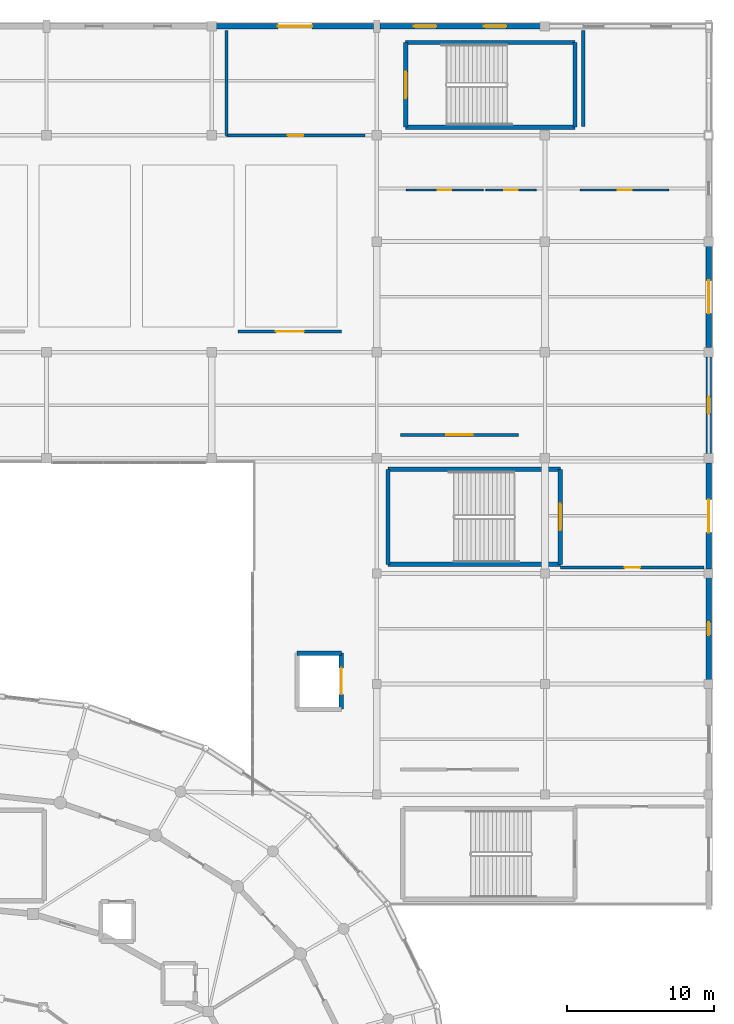
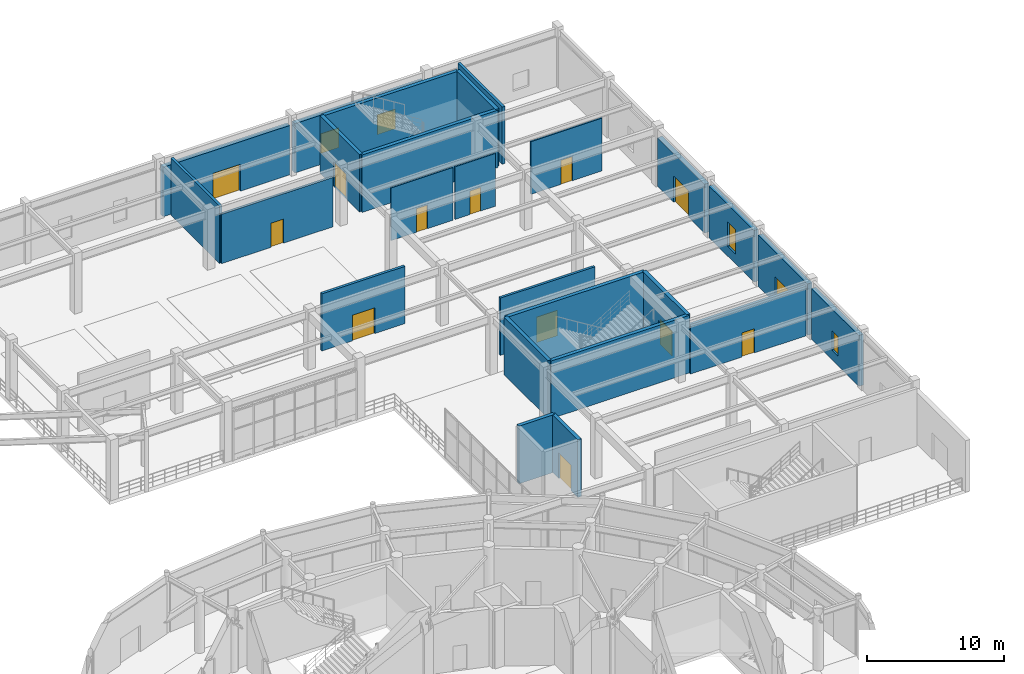
# One storey, part 62 of 93: 25 walls, 13 doors, 4 windows, 17 openings.
"""IFC4 building model written with IfcOpenShell, lengths in metres."""

from ifc_helpers import new_model, si_unit, direction, frame, frame_2d, origin, place, context, subcontext, project, spatial, rectangle, extrude, material, layer, layer_set, type_object, element, fill, save


model = new_model("IFC4")

# Units and contexts
model_context = context("Model", 3, precision=1e-05, world=origin(), true_north=direction((0.0, 1.0)))
body_context = subcontext(model_context, "Body", "Model", "MODEL_VIEW")
ifc_project = project(units=[si_unit("LENGTHUNIT", "METRE"), si_unit("AREAUNIT", "SQUARE_METRE"), si_unit("VOLUMEUNIT", "CUBIC_METRE"), si_unit("PLANEANGLEUNIT", "RADIAN"), si_unit("MASSUNIT", "GRAM", prefix="KILO")], contexts=[model_context])

# Site, building, storey
site_placement = place(None, origin())
site = spatial("IfcSite", under=ifc_project, at=site_placement, CompositionType="ELEMENT")
building_placement = place(site_placement, origin())
building = spatial("IfcBuilding", under=site, at=building_placement, Name="Cinderbank Siding Concert Hall", CompositionType="ELEMENT")
storey_placement = place(building_placement, origin())
storey = spatial("IfcBuildingStorey", under=building, at=storey_placement, Name="L01", CompositionType="ELEMENT", Elevation=0.0)

# Wall, opening, door
ifc_material_1 = material(Name="Reinforced concrete AS 3600 N50 (50 MPa)", Category="concrete")
ifc_layer_1 = layer(ifc_material_1, 0.300048828125)
ifc_layer_set_1 = layer_set([ifc_layer_1], Name="Reinforced concrete AS 3600 N50 (50 MPa)")
wall_type_1 = type_object("IfcWallType", Name="WL-03 Structural Wall 300mm", PredefinedType="SHEAR", material=ifc_layer_set_1)
wall_1_placement = place(storey_placement, frame((152.360107421875, 111.06005859375, 0.0), z_axis=(0.0, 0.0, 1.0), x_axis=(0.0, 1.0, 0.0)))
wall_1 = element("IfcWall", 1, at=wall_1_placement, inside=storey, type_object=wall_type_1, Name="L01 ST-07 Core Wall ENTRY", PredefinedType="SHEAR", context=body_context, shape_type="SweptSolid", body=[
    extrude(rectangle(XDim=5.739990234375, YDim=0.300048828125, at=frame_2d((2.8701171875, 0.0))), origin(), (0.0, 0.0, 1.0), 5.1201171875),
])
opening_1_placement = place(wall_1_placement, frame((1.969970703125, 0.0, 0.0)))
opening_1 = element("IfcOpeningElement", 2, at=opening_1_placement, cuts=wall_1, Name="Opening D-05", PredefinedType="OPENING", context=body_context, shape_type="SweptSolid", body=[
    extrude(rectangle(XDim=1.800048828125, YDim=2.199951171875, at=frame_2d((0.89990234375, 1.10009765625))), frame((0.0, 0.162109375, 0.0), z_axis=(0.0, -1.0, 0.0), x_axis=(1.0, 0.0, 0.0)), (0.0, 0.0, 1.0), 0.323974609375),
])
ifc_material_2 = material(Name="Galvanised sheet steel acoustic fire door assembly", Category="steel")
door_type_1 = type_object("IfcDoorType", Name="D-05 Interior Door 1800x2200", OperationType="DOUBLE_DOOR_SINGLE_SWING", PredefinedType="DOOR", material=ifc_material_2)
door_1_placement = place(opening_1_placement, origin())
door_1 = element("IfcDoor", 3, at=door_1_placement, inside=storey, type_object=door_type_1, Name="L01 ST-07 Fire Stair Door L01-D040", OperationType="DOUBLE_DOOR_SINGLE_SWING", OverallHeight=2.199951171875, OverallWidth=1.800048828125, PredefinedType="DOOR", context=body_context, shape_type="SweptSolid", body=[
    extrude(rectangle(XDim=1.800048828125, YDim=2.199951171875, at=frame_2d((0.89990234375, 1.10009765625))), frame((0.0, 0.02490234375, 0.0), z_axis=(0.0, -1.0, 0.0), x_axis=(1.0, 0.0, 0.0)), (0.0, 0.0, 1.0), 0.050048828125),
])
fill(opening_1, door_1)

# Walls
wall_2_placement = place(storey_placement, frame((163.840087890625, 116.800048828125, 0.0), z_axis=(0.0, 0.0, 1.0), x_axis=(0.0, -1.0, 0.0)))
element("IfcWall", 4, at=wall_2_placement, inside=storey, type_object=wall_type_1, Name="L01 ST-07 Core Wall FAR", PredefinedType="SHEAR", context=body_context, shape_type="SweptSolid", body=[
    extrude(rectangle(XDim=5.739990234375, YDim=0.300048828125, at=frame_2d((2.8701171875, 0.0))), origin(), (0.0, 0.0, 1.0), 5.1201171875),
])
for number, where, z_axis, x_axis, name in (
    (5, (163.840087890625, 111.06005859375, 0.0), (0.0, 0.0, 1.0), (-1.0, 0.0, 0.0), "L01 ST-07 Core Wall SIDE1"),
    (6, (152.360107421875, 116.800048828125, 0.0), (0.0, 0.0, 1.0), (1.0, 0.0, 0.0), "L01 ST-07 Core Wall SIDE2"),
):
    element("IfcWall", number, at=place(storey_placement, frame(where, z_axis=z_axis, x_axis=x_axis)), inside=storey, type_object=wall_type_1, Name=name, PredefinedType="SHEAR", context=body_context, shape_type="SweptSolid", body=[
        extrude(rectangle(XDim=11.47998046875, YDim=0.300048828125, at=frame_2d((5.739990234375, 0.0))), origin(), (0.0, 0.0, 1.0), 5.1201171875),
    ])

# Wall, opening, door
wall_3_placement = place(storey_placement, frame((162.840087890625, 87.85009765625, 0.0), z_axis=(0.0, 0.0, 1.0), x_axis=(0.0, -1.0, 0.0)))
wall_3 = element("IfcWall", 7, at=wall_3_placement, inside=storey, type_object=wall_type_1, Name="L01 ST-11 Core Wall ENTRY", PredefinedType="SHEAR", context=body_context, shape_type="SweptSolid", body=[
    extrude(rectangle(XDim=6.440185546875, YDim=0.300048828125, at=frame_2d((3.22021484375, 0.0))), origin(), (0.0, 0.0, 1.0), 5.139892578125),
])
opening_2_placement = place(wall_3_placement, frame((2.320068359375, 0.0, 0.0)))
opening_2 = element("IfcOpeningElement", 8, at=opening_2_placement, cuts=wall_3, Name="Opening D-05", PredefinedType="OPENING", context=body_context, shape_type="SweptSolid", body=[
    extrude(rectangle(XDim=1.800048828125, YDim=2.199951171875, at=frame_2d((0.89990234375, 1.10009765625))), frame((0.0, 0.162109375, 0.0), z_axis=(0.0, -1.0, 0.0), x_axis=(1.0, 0.0, 0.0)), (0.0, 0.0, 1.0), 0.323974609375),
])
door_2_placement = place(opening_2_placement, origin())
door_2 = element("IfcDoor", 9, at=door_2_placement, inside=storey, type_object=door_type_1, Name="L01 ST-11 Fire Stair Door L01-D055", OperationType="DOUBLE_DOOR_SINGLE_SWING", OverallHeight=2.199951171875, OverallWidth=1.800048828125, PredefinedType="DOOR", context=body_context, shape_type="SweptSolid", body=[
    extrude(rectangle(XDim=1.800048828125, YDim=2.199951171875, at=frame_2d((0.89990234375, 1.10009765625))), frame((0.0, 0.02490234375, 0.0), z_axis=(0.0, -1.0, 0.0), x_axis=(1.0, 0.0, 0.0)), (0.0, 0.0, 1.0), 0.050048828125),
])
fill(opening_2, door_2)

# Walls
wall_4_placement = place(storey_placement, frame((151.159912109375, 81.409912109375, 0.0), z_axis=(0.0, 0.0, 1.0), x_axis=(0.0, 1.0, 0.0)))
element("IfcWall", 10, at=wall_4_placement, inside=storey, type_object=wall_type_1, Name="L01 ST-11 Core Wall FAR", PredefinedType="SHEAR", context=body_context, shape_type="SweptSolid", body=[
    extrude(rectangle(XDim=6.440185546875, YDim=0.300048828125, at=frame_2d((3.22021484375, 0.0))), origin(), (0.0, 0.0, 1.0), 5.139892578125),
])
for number, where, z_axis, x_axis, name in (
    (11, (151.159912109375, 87.85009765625, 0.0), (0.0, 0.0, 1.0), (1.0, 0.0, 0.0), "L01 ST-11 Core Wall SIDE1"),
    (12, (162.840087890625, 81.409912109375, 0.0), (0.0, 0.0, 1.0), (-1.0, 0.0, 0.0), "L01 ST-11 Core Wall SIDE2"),
):
    element("IfcWall", number, at=place(storey_placement, frame(where, z_axis=z_axis, x_axis=x_axis)), inside=storey, type_object=wall_type_1, Name=name, PredefinedType="SHEAR", context=body_context, shape_type="SweptSolid", body=[
        extrude(rectangle(XDim=11.68017578125, YDim=0.300048828125, at=frame_2d((5.840087890625, 0.0))), origin(), (0.0, 0.0, 1.0), 5.139892578125),
    ])

# Wall, opening, door
wall_5_placement = place(storey_placement, frame((148.0, 75.39990234375, 0.0), z_axis=(0.0, 0.0, 1.0), x_axis=(0.0, -1.0, 0.0)))
wall_5 = element("IfcWall", 13, at=wall_5_placement, inside=storey, type_object=wall_type_1, Name="L01 LF-08 Shaft Wall +X", PredefinedType="SHEAR", context=body_context, shape_type="SweptSolid", body=[
    extrude(rectangle(XDim=3.7998046875, YDim=0.300048828125, at=frame_2d((1.89990234375, 0.0))), origin(), (0.0, 0.0, 1.0), 5.139892578125),
])
opening_3_placement = place(wall_5_placement, frame((1.0, 0.0, 0.0)))
opening_3 = element("IfcOpeningElement", 14, at=opening_3_placement, cuts=wall_5, Name="Opening LD-03", PredefinedType="OPENING", context=body_context, shape_type="SweptSolid", body=[
    extrude(rectangle(XDim=1.800048828125, YDim=2.300048828125, at=frame_2d((0.89990234375, 1.14990234375))), frame((0.0, 0.162109375, 0.0), z_axis=(0.0, -1.0, 0.0), x_axis=(1.0, 0.0, 0.0)), (0.0, 0.0, 1.0), 0.323974609375),
])
door_type_2 = type_object("IfcDoorType", Name="LD-03 Interior Door 1800x2300", OperationType="DOUBLE_DOOR_SLIDING", PredefinedType="DOOR", material=ifc_material_2)
door_3_placement = place(opening_3_placement, origin())
door_3 = element("IfcDoor", 15, at=door_3_placement, inside=storey, type_object=door_type_2, Name="L01 LF-08 Sliding Landing Door", OperationType="DOUBLE_DOOR_SLIDING", OverallHeight=2.300048828125, OverallWidth=1.800048828125, PredefinedType="DOOR", context=body_context, shape_type="SweptSolid", body=[
    extrude(rectangle(XDim=1.800048828125, YDim=2.300048828125, at=frame_2d((0.89990234375, 1.14990234375))), frame((0.0, 0.02490234375, 0.0), z_axis=(0.0, -1.0, 0.0), x_axis=(1.0, 0.0, 0.0)), (0.0, 0.0, 1.0), 0.050048828125),
])
fill(opening_3, door_3)

# Wall
wall_6_placement = place(storey_placement, frame((145.0, 75.39990234375, 0.0), z_axis=(0.0, 0.0, 1.0), x_axis=(1.0, 0.0, 0.0)))
element("IfcWall", 16, at=wall_6_placement, inside=storey, type_object=wall_type_1, Name="L01 LF-08 Shaft Wall +Y", PredefinedType="SHEAR", context=body_context, shape_type="SweptSolid", body=[
    extrude(rectangle(XDim=3.0, YDim=0.300048828125, at=frame_2d((1.5, 0.0))), origin(), (0.0, 0.0, 1.0), 5.139892578125),
])

# Wall, opening, door
ifc_layer_2 = layer(ifc_material_1, 0.219970703125)
ifc_layer_set_2 = layer_set([ifc_layer_2], Name="Reinforced concrete AS 3600 N50 (50 MPa)")
wall_type_2 = type_object("IfcWallType", Name="WL-06 Interior Wall 220mm", PredefinedType="SOLIDWALL", material=ifc_layer_set_2)
wall_7_placement = place(storey_placement, frame((140.199951171875, 110.5, 0.0), z_axis=(0.0, 0.0, 1.0), x_axis=(1.0, 0.0, 0.0)))
wall_7 = element("IfcWall", 17, at=wall_7_placement, inside=storey, type_object=wall_type_2, Name="L01 Fire-Isolated Exit Passage Wall EPW-07-S", PredefinedType="SOLIDWALL", context=body_context, shape_type="SweptSolid", body=[
    extrude(rectangle(XDim=9.400146484375, YDim=0.219970703125, at=frame_2d((4.7001953125, 0.0))), origin(), (0.0, 0.0, 1.0), 4.406982421875),
])
opening_4_placement = place(wall_7_placement, frame((4.175048828125, 0.0, 0.0)))
opening_4 = element("IfcOpeningElement", 18, at=opening_4_placement, cuts=wall_7, Name="Opening D-02", PredefinedType="OPENING", context=body_context, shape_type="SweptSolid", body=[
    extrude(rectangle(XDim=1.050048828125, YDim=2.14990234375, at=frame_2d((0.52490234375, 1.074951171875))), frame((0.0, 0.1220703125, 0.0), z_axis=(0.0, -1.0, 0.0), x_axis=(1.0, 0.0, 0.0)), (0.0, 0.0, 1.0), 0.243896484375),
])
door_type_3 = type_object("IfcDoorType", Name="D-02 Interior Door 1050x2150", OperationType="NOTDEFINED", PredefinedType="DOOR", material=ifc_material_2)
door_4_placement = place(opening_4_placement, origin())
door_4 = element("IfcDoor", 19, at=door_4_placement, inside=storey, type_object=door_type_3, Name="L01 Exit Passage Fire Door L01-D094", OperationType="SINGLE_SWING_LEFT", OverallHeight=2.14990234375, OverallWidth=1.050048828125, PredefinedType="DOOR", context=body_context, shape_type="SweptSolid", body=[
    extrude(rectangle(XDim=1.050048828125, YDim=2.14990234375, at=frame_2d((0.52490234375, 1.074951171875))), frame((0.0, 0.02490234375, 0.0), z_axis=(0.0, -1.0, 0.0), x_axis=(1.0, 0.0, 0.0)), (0.0, 0.0, 1.0), 0.050048828125),
])
fill(opening_4, door_4)

# Walls
wall_8_placement = place(storey_placement, frame((140.199951171875, 117.60009765625, 0.0), z_axis=(0.0, 0.0, 1.0), x_axis=(0.0, -1.0, 0.0)))
element("IfcWall", 20, at=wall_8_placement, inside=storey, type_object=wall_type_2, Name="L01 Fire-Isolated Exit Passage Wall EPW-07-W", PredefinedType="SOLIDWALL", context=body_context, shape_type="SweptSolid", body=[
    extrude(rectangle(XDim=7.10009765625, YDim=0.219970703125, at=frame_2d((3.550048828125, 0.0))), origin(), (0.0, 0.0, 1.0), 5.10498046875),
])
wall_9_placement = place(storey_placement, frame((164.39990234375, 111.10009765625, 0.0), z_axis=(0.0, 0.0, 1.0), x_axis=(0.0, 1.0, 0.0)))
element("IfcWall", 21, at=wall_9_placement, inside=storey, type_object=wall_type_2, Name="L01 Fire-Isolated Exit Passage Wall EPW-07-E", PredefinedType="SOLIDWALL", context=body_context, shape_type="SweptSolid", body=[
    extrude(rectangle(XDim=6.5, YDim=0.219970703125, at=frame_2d((3.25, 0.0))), origin(), (0.0, 0.0, 1.0), 5.10498046875),
])

# Wall, opening, door
wall_10_placement = place(storey_placement, frame((162.85009765625, 81.199951171875, 0.0), z_axis=(0.0, 0.0, 1.0), x_axis=(1.0, 0.0, 0.0)))
wall_10 = element("IfcWall", 22, at=wall_10_placement, inside=storey, type_object=wall_type_2, Name="L01 Fire-Isolated Exit Passage Wall EPW-11-S", PredefinedType="SOLIDWALL", context=body_context, shape_type="SweptSolid", body=[
    extrude(rectangle(XDim=9.75, YDim=0.219970703125, at=frame_2d((4.875, 0.0))), origin(), (0.0, 0.0, 1.0), 4.427001953125),
])
opening_5_placement = place(wall_10_placement, frame((4.35009765625, 0.0, 0.0)))
opening_5 = element("IfcOpeningElement", 23, at=opening_5_placement, cuts=wall_10, Name="Opening D-02", PredefinedType="OPENING", context=body_context, shape_type="SweptSolid", body=[
    extrude(rectangle(XDim=1.050048828125, YDim=2.14990234375, at=frame_2d((0.52490234375, 1.074951171875))), frame((0.0, 0.1220703125, 0.0), z_axis=(0.0, -1.0, 0.0), x_axis=(1.0, 0.0, 0.0)), (0.0, 0.0, 1.0), 0.243896484375),
])
door_5_placement = place(opening_5_placement, origin())
door_5 = element("IfcDoor", 24, at=door_5_placement, inside=storey, type_object=door_type_3, Name="L01 Exit Passage Fire Door L01-D099", OperationType="SINGLE_SWING_RIGHT", OverallHeight=2.14990234375, OverallWidth=1.050048828125, PredefinedType="DOOR", context=body_context, shape_type="SweptSolid", body=[
    extrude(rectangle(XDim=1.050048828125, YDim=2.14990234375, at=frame_2d((0.52490234375, 1.074951171875))), frame((0.0, 0.02490234375, 0.0), z_axis=(0.0, -1.0, 0.0), x_axis=(1.0, 0.0, 0.0)), (0.0, 0.0, 1.0), 0.050048828125),
])
fill(opening_5, door_5)

wall_11_placement = place(storey_placement, frame((141.0, 97.199951171875, 0.0), z_axis=(0.0, 0.0, 1.0), x_axis=(1.0, 0.0, 0.0)))
wall_11 = element("IfcWall", 25, at=wall_11_placement, inside=storey, type_object=wall_type_2, Name="L01 Partition Orchestral Hall East Lock", PredefinedType="SOLIDWALL", context=body_context, shape_type="SweptSolid", body=[
    extrude(rectangle(XDim=7.0, YDim=0.219970703125, at=frame_2d((3.5, 0.0))), origin(), (0.0, 0.0, 1.0), 5.10498046875),
])
opening_6_placement = place(wall_11_placement, frame((2.550048828125, 0.0, 0.0)))
opening_6 = element("IfcOpeningElement", 26, at=opening_6_placement, cuts=wall_11, Name="Opening D-06", PredefinedType="OPENING", context=body_context, shape_type="SweptSolid", body=[
    extrude(rectangle(XDim=1.89990234375, YDim=2.300048828125, at=frame_2d((0.949951171875, 1.14990234375))), frame((0.0, 0.1220703125, 0.0), z_axis=(0.0, -1.0, 0.0), x_axis=(1.0, 0.0, 0.0)), (0.0, 0.0, 1.0), 0.243896484375),
])
door_type_4 = type_object("IfcDoorType", Name="D-06 Interior Door 1900x2300", OperationType="DOUBLE_DOOR_SINGLE_SWING", PredefinedType="DOOR", material=ifc_material_2)
door_6_placement = place(opening_6_placement, origin())
door_6 = element("IfcDoor", 27, at=door_6_placement, inside=storey, type_object=door_type_4, Name="L01 Orchestral Hall East Lock Door L01-D252", OperationType="DOUBLE_DOOR_SINGLE_SWING", OverallHeight=2.300048828125, OverallWidth=1.89990234375, PredefinedType="DOOR", context=body_context, shape_type="SweptSolid", body=[
    extrude(rectangle(XDim=1.89990234375, YDim=2.300048828125, at=frame_2d((0.949951171875, 1.14990234375))), frame((0.0, 0.02490234375, 0.0), z_axis=(0.0, -1.0, 0.0), x_axis=(1.0, 0.0, 0.0)), (0.0, 0.0, 1.0), 0.050048828125),
])
fill(opening_6, door_6)

ifc_material_3 = material(Name="Sydney Hawkesbury sandstone ashlar masonry", Category="masonry")
ifc_layer_3 = layer(ifc_material_3, 0.389892578125)
ifc_layer_set_3 = layer_set([ifc_layer_3], Name="Sydney Hawkesbury sandstone ashlar masonry")
wall_type_3 = type_object("IfcWallType", Name="WL-09 Exterior Wall 390mm", PredefinedType="STANDARD", material=ifc_layer_set_3)
wall_12_placement = place(storey_placement, frame((139.510009765625, 117.89990234375, 0.0), z_axis=(0.0, 0.0, 1.0), x_axis=(1.0, 0.0, 0.0)))
wall_12 = element("IfcWall", 28, at=wall_12_placement, inside=storey, type_object=wall_type_3, Name="L01 Facade Wall EW-V3-N3-L01", PredefinedType="STANDARD", context=body_context, shape_type="SweptSolid", body=[
    extrude(rectangle(XDim=10.679931640625, YDim=0.389892578125, at=frame_2d((5.33984375, 0.0))), origin(), (0.0, 0.0, 1.0), 4.406982421875),
])
opening_7_placement = place(wall_12_placement, frame((4.179931640625, 0.0, 0.0)))
opening_7 = element("IfcOpeningElement", 29, at=opening_7_placement, cuts=wall_12, Name="Opening ED-D2", PredefinedType="OPENING", context=body_context, shape_type="SweptSolid", body=[
    extrude(rectangle(XDim=2.320068359375, YDim=2.39990234375, at=frame_2d((1.16015625, 1.199951171875))), frame((0.0, 0.20703125, 0.0), z_axis=(0.0, -1.0, 0.0), x_axis=(1.0, 0.0, 0.0)), (0.0, 0.0, 1.0), 0.413818359375),
])
door_type_5 = type_object("IfcDoorType", Name="ED-D2 Exterior Door 2320x2400", OperationType="DOUBLE_DOOR_SINGLE_SWING", PredefinedType="DOOR", material=ifc_material_2)
door_7_placement = place(opening_7_placement, origin())
door_7 = element("IfcDoor", 30, at=door_7_placement, inside=storey, type_object=door_type_5, Name="Perimeter Final Exit V3-N3", OperationType="DOUBLE_DOOR_SINGLE_SWING", OverallHeight=2.39990234375, OverallWidth=2.320068359375, PredefinedType="DOOR", context=body_context, shape_type="SweptSolid", body=[
    extrude(rectangle(XDim=2.320068359375, YDim=2.39990234375, at=frame_2d((1.16015625, 1.199951171875))), frame((0.0, 0.02490234375, 0.0), z_axis=(0.0, -1.0, 0.0), x_axis=(1.0, 0.0, 0.0)), (0.0, 0.0, 1.0), 0.050048828125),
])
fill(opening_7, door_7)

# Wall, openings, windows
wall_13_placement = place(storey_placement, frame((150.610107421875, 117.89990234375, 0.0), z_axis=(0.0, 0.0, 1.0), x_axis=(1.0, 0.0, 0.0)))
wall_13 = element("IfcWall", 31, at=wall_13_placement, inside=storey, type_object=wall_type_3, Name="L01 Facade Wall EW-V3-N4-L01", PredefinedType="STANDARD", context=body_context, shape_type="SweptSolid", body=[
    extrude(rectangle(XDim=10.8798828125, YDim=0.389892578125, at=frame_2d((5.43994140625, 0.0))), origin(), (0.0, 0.0, 1.0), 4.406982421875),
])
opening_8_placement = place(wall_13_placement, frame((2.31005859375, 0.0, 0.85009765625)))
opening_8 = element("IfcOpeningElement", 32, at=opening_8_placement, cuts=wall_13, Name="Opening WN-22", PredefinedType="OPENING", context=body_context, shape_type="SweptSolid", body=[
    extrude(rectangle(XDim=1.52001953125, YDim=1.75, at=frame_2d((0.760009765625, 0.875))), frame((0.0, 0.20703125, 0.0), z_axis=(0.0, -1.0, 0.0), x_axis=(1.0, 0.0, 0.0)), (0.0, 0.0, 1.0), 0.413818359375),
])
opening_9_placement = place(wall_13_placement, frame((7.050048828125, 0.0, 0.85009765625)))
opening_9 = element("IfcOpeningElement", 33, at=opening_9_placement, cuts=wall_13, Name="Opening WN-22", PredefinedType="OPENING", context=body_context, shape_type="SweptSolid", body=[
    extrude(rectangle(XDim=1.52001953125, YDim=1.75, at=frame_2d((0.760009765625, 0.875))), frame((0.0, 0.20703125, 0.0), z_axis=(0.0, -1.0, 0.0), x_axis=(1.0, 0.0, 0.0)), (0.0, 0.0, 1.0), 0.413818359375),
])
ifc_material_4 = material(Name="Double-glazed laminated acoustic glass", Category="glass")
window_type_1 = type_object("IfcWindowType", Name="WN-22 Acoustic Casement Window 1520x1750", PartitioningType="DOUBLE_PANEL_VERTICAL", PredefinedType="WINDOW", material=ifc_material_4)
window_1_placement = place(opening_8_placement, origin())
window_1 = element("IfcWindow", 34, at=window_1_placement, inside=storey, type_object=window_type_1, Name="L01 Facade Window #160", OverallHeight=1.75, OverallWidth=1.52001953125, PartitioningType="DOUBLE_PANEL_VERTICAL", PredefinedType="WINDOW", context=body_context, shape_type="SweptSolid", body=[
    extrude(rectangle(XDim=1.52001953125, YDim=1.75, at=frame_2d((0.760009765625, 0.875))), frame((0.0, 0.030029296875, 0.0), z_axis=(0.0, -1.0, 0.0), x_axis=(1.0, 0.0, 0.0)), (0.0, 0.0, 1.0), 0.06005859375),
])
fill(opening_8, window_1)
window_2_placement = place(opening_9_placement, origin())
window_2 = element("IfcWindow", 35, at=window_2_placement, inside=storey, type_object=window_type_1, Name="L01 Facade Window #161", OverallHeight=1.75, OverallWidth=1.52001953125, PartitioningType="DOUBLE_PANEL_VERTICAL", PredefinedType="WINDOW", context=body_context, shape_type="SweptSolid", body=[
    extrude(rectangle(XDim=1.52001953125, YDim=1.75, at=frame_2d((0.760009765625, 0.875))), frame((0.0, 0.030029296875, 0.0), z_axis=(0.0, -1.0, 0.0), x_axis=(1.0, 0.0, 0.0)), (0.0, 0.0, 1.0), 0.06005859375),
])
fill(opening_9, window_2)

# Wall, opening, window
wall_14_placement = place(storey_placement, frame((172.89990234375, 95.489990234375, 0.0), z_axis=(0.0, 0.0, 1.0), x_axis=(0.0, -1.0, 0.0)))
wall_14 = element("IfcWall", 36, at=wall_14_placement, inside=storey, type_object=wall_type_3, Name="L01 Facade Wall EW-V3-E1-L01", PredefinedType="STANDARD", context=body_context, shape_type="SweptSolid", body=[
    extrude(rectangle(XDim=6.580078125, YDim=0.389892578125, at=frame_2d((3.2900390625, 0.0))), origin(), (0.0, 0.0, 1.0), 4.60009765625),
])
opening_10_placement = place(wall_14_placement, frame((2.715087890625, 0.0, 0.85009765625)))
opening_10 = element("IfcOpeningElement", 37, at=opening_10_placement, cuts=wall_14, Name="Opening WN-04", PredefinedType="OPENING", context=body_context, shape_type="SweptSolid", body=[
    extrude(rectangle(XDim=1.14990234375, YDim=2.199951171875, at=frame_2d((0.574951171875, 1.10009765625))), frame((0.0, 0.20703125, 0.0), z_axis=(0.0, -1.0, 0.0), x_axis=(1.0, 0.0, 0.0)), (0.0, 0.0, 1.0), 0.413818359375),
])
window_type_2 = type_object("IfcWindowType", Name="WN-04 Acoustic Casement Window 1150x2200", PartitioningType="DOUBLE_PANEL_VERTICAL", PredefinedType="WINDOW", material=ifc_material_4)
window_3_placement = place(opening_10_placement, origin())
window_3 = element("IfcWindow", 38, at=window_3_placement, inside=storey, type_object=window_type_2, Name="L01 Facade Window #172", OverallHeight=2.199951171875, OverallWidth=1.14990234375, PartitioningType="DOUBLE_PANEL_VERTICAL", PredefinedType="WINDOW", context=body_context, shape_type="SweptSolid", body=[
    extrude(rectangle(XDim=1.14990234375, YDim=2.199951171875, at=frame_2d((0.574951171875, 1.10009765625))), frame((0.0, 0.030029296875, 0.0), z_axis=(0.0, -1.0, 0.0), x_axis=(1.0, 0.0, 0.0)), (0.0, 0.0, 1.0), 0.06005859375),
])
fill(opening_10, window_3)

# Wall, opening, door
wall_15_placement = place(storey_placement, frame((172.89990234375, 102.989990234375, 0.0), z_axis=(0.0, 0.0, 1.0), x_axis=(0.0, -1.0, 0.0)))
wall_15 = element("IfcWall", 39, at=wall_15_placement, inside=storey, type_object=wall_type_3, Name="L01 Facade Wall EW-V3-E2-L01", PredefinedType="STANDARD", context=body_context, shape_type="SweptSolid", body=[
    extrude(rectangle(XDim=6.8798828125, YDim=0.389892578125, at=frame_2d((3.43994140625, 0.0))), origin(), (0.0, 0.0, 1.0), 4.35693359375),
])
opening_11_placement = place(wall_15_placement, frame((2.320068359375, 0.0, 0.0)))
opening_11 = element("IfcOpeningElement", 40, at=opening_11_placement, cuts=wall_15, Name="Opening ED-D1", PredefinedType="OPENING", context=body_context, shape_type="SweptSolid", body=[
    extrude(rectangle(XDim=2.239990234375, YDim=2.35009765625, at=frame_2d((1.1201171875, 1.175048828125))), frame((0.0, 0.20703125, 0.0), z_axis=(0.0, -1.0, 0.0), x_axis=(1.0, 0.0, 0.0)), (0.0, 0.0, 1.0), 0.413818359375),
])
door_type_6 = type_object("IfcDoorType", Name="ED-D1 Exterior Door 2240x2350", OperationType="DOUBLE_DOOR_SINGLE_SWING", PredefinedType="DOOR", material=ifc_material_2)
door_8_placement = place(opening_11_placement, origin())
door_8 = element("IfcDoor", 41, at=door_8_placement, inside=storey, type_object=door_type_6, Name="Perimeter Final Exit V3-E2", OperationType="DOUBLE_DOOR_SINGLE_SWING", OverallHeight=2.35009765625, OverallWidth=2.239990234375, PredefinedType="DOOR", context=body_context, shape_type="SweptSolid", body=[
    extrude(rectangle(XDim=2.239990234375, YDim=2.35009765625, at=frame_2d((1.1201171875, 1.175048828125))), frame((0.0, 0.02490234375, 0.0), z_axis=(0.0, -1.0, 0.0), x_axis=(1.0, 0.0, 0.0)), (0.0, 0.0, 1.0), 0.050048828125),
])
fill(opening_11, door_8)

# Wall, opening, window
wall_16_placement = place(storey_placement, frame((172.89990234375, 80.514892578125, 0.0), z_axis=(0.0, 0.0, 1.0), x_axis=(0.0, -1.0, 0.0)))
wall_16 = element("IfcWall", 42, at=wall_16_placement, inside=storey, type_object=wall_type_3, Name="L01 Facade Wall EW-EL-E2-L01", PredefinedType="STANDARD", context=body_context, shape_type="SweptSolid", body=[
    extrude(rectangle(XDim=6.929931640625, YDim=0.389892578125, at=frame_2d((3.46484375, 0.0))), origin(), (0.0, 0.0, 1.0), 4.52490234375),
])
opening_12_placement = place(wall_16_placement, frame((3.014892578125, 0.0, 0.85009765625)))
opening_12 = element("IfcOpeningElement", 43, at=opening_12_placement, cuts=wall_16, Name="Opening WN-17", PredefinedType="OPENING", context=body_context, shape_type="SweptSolid", body=[
    extrude(rectangle(XDim=0.89990234375, YDim=1.75, at=frame_2d((0.449951171875, 0.875))), frame((0.0, 0.20703125, 0.0), z_axis=(0.0, -1.0, 0.0), x_axis=(1.0, 0.0, 0.0)), (0.0, 0.0, 1.0), 0.413818359375),
])
window_type_3 = type_object("IfcWindowType", Name="WN-17 Acoustic Casement Window 900x1750", PartitioningType="DOUBLE_PANEL_VERTICAL", PredefinedType="WINDOW", material=ifc_material_4)
window_4_placement = place(opening_12_placement, origin())
window_4 = element("IfcWindow", 44, at=window_4_placement, inside=storey, type_object=window_type_3, Name="L01 Facade Window #185", OverallHeight=1.75, OverallWidth=0.89990234375, PartitioningType="DOUBLE_PANEL_VERTICAL", PredefinedType="WINDOW", context=body_context, shape_type="SweptSolid", body=[
    extrude(rectangle(XDim=0.89990234375, YDim=1.75, at=frame_2d((0.449951171875, 0.875))), frame((0.0, 0.030029296875, 0.0), z_axis=(0.0, -1.0, 0.0), x_axis=(1.0, 0.0, 0.0)), (0.0, 0.0, 1.0), 0.06005859375),
])
fill(opening_12, window_4)

# Wall, opening, door
wall_17_placement = place(storey_placement, frame((172.89990234375, 88.2900390625, 0.0), z_axis=(0.0, 0.0, 1.0), x_axis=(0.0, -1.0, 0.0)))
wall_17 = element("IfcWall", 45, at=wall_17_placement, inside=storey, type_object=wall_type_3, Name="L01 Facade Wall EW-EL-E3-L01", PredefinedType="STANDARD", context=body_context, shape_type="SweptSolid", body=[
    extrude(rectangle(XDim=7.205078125, YDim=0.389892578125, at=frame_2d((3.6025390625, 0.0))), origin(), (0.0, 0.0, 1.0), 4.578857421875),
])
opening_13_placement = place(wall_17_placement, frame((2.482421875, 0.0, 0.0)))
opening_13 = element("IfcOpeningElement", 46, at=opening_13_placement, cuts=wall_17, Name="Opening ED-D1", PredefinedType="OPENING", context=body_context, shape_type="SweptSolid", body=[
    extrude(rectangle(XDim=2.239990234375, YDim=2.35009765625, at=frame_2d((1.1201171875, 1.175048828125))), frame((0.0, 0.20703125, 0.0), z_axis=(0.0, -1.0, 0.0), x_axis=(1.0, 0.0, 0.0)), (0.0, 0.0, 1.0), 0.413818359375),
])
door_9_placement = place(opening_13_placement, origin())
door_9 = element("IfcDoor", 47, at=door_9_placement, inside=storey, type_object=door_type_6, Name="Perimeter Final Exit EL-E3", OperationType="DOUBLE_DOOR_SINGLE_SWING", OverallHeight=2.35009765625, OverallWidth=2.239990234375, PredefinedType="DOOR", context=body_context, shape_type="SweptSolid", body=[
    extrude(rectangle(XDim=2.239990234375, YDim=2.35009765625, at=frame_2d((1.1201171875, 1.175048828125))), frame((0.0, 0.02490234375, 0.0), z_axis=(0.0, -1.0, 0.0), x_axis=(1.0, 0.0, 0.0)), (0.0, 0.0, 1.0), 0.050048828125),
])
fill(opening_13, door_9)

ifc_material_5 = material(Name="Acoustic plasterboard on light-gauge steel studs", Category="gypsum")
ifc_layer_4 = layer(ifc_material_5, 0.199951171875)
ifc_layer_set_4 = layer_set([ifc_layer_4], Name="Acoustic plasterboard on light-gauge steel studs")
wall_type_4 = type_object("IfcWallType", Name="WL-12 Interior Wall 200mm", PredefinedType="PARTITIONING", material=ifc_layer_set_4)
wall_18_placement = place(storey_placement, frame((152.0, 90.199951171875, 0.0), z_axis=(0.0, 0.0, 1.0), x_axis=(1.0, 0.0, 0.0)))
wall_18 = element("IfcWall", 48, at=wall_18_placement, inside=storey, type_object=wall_type_4, Name="L01 Partition Percussion Studio", PredefinedType="PARTITIONING", context=body_context, shape_type="SweptSolid", body=[
    extrude(rectangle(XDim=8.0, YDim=0.199951171875, at=frame_2d((4.0, 0.0))), origin(), (0.0, 0.0, 1.0), 5.10498046875),
])
opening_14_placement = place(wall_18_placement, frame((3.110107421875, 0.0, 0.0)))
opening_14 = element("IfcOpeningElement", 49, at=opening_14_placement, cuts=wall_18, Name="Opening D-21", PredefinedType="OPENING", context=body_context, shape_type="SweptSolid", body=[
    extrude(rectangle(XDim=1.780029296875, YDim=2.280029296875, at=frame_2d((0.89013671875, 1.14013671875))), frame((0.0, 0.11181640625, 0.0), z_axis=(0.0, -1.0, 0.0), x_axis=(1.0, 0.0, 0.0)), (0.0, 0.0, 1.0), 0.223876953125),
])
ifc_material_6 = material(Name="Solid-core spotted gum acoustic timber", Category="wood")
door_type_7 = type_object("IfcDoorType", Name="D-21 Interior Door 1780x2280", OperationType="DOUBLE_DOOR_SINGLE_SWING", PredefinedType="DOOR", material=ifc_material_6)
door_10_placement = place(opening_14_placement, origin())
door_10 = element("IfcDoor", 50, at=door_10_placement, inside=storey, type_object=door_type_7, Name="L01 Percussion Studio Door L01-D253", OperationType="DOUBLE_DOOR_SINGLE_SWING", OverallHeight=2.280029296875, OverallWidth=1.780029296875, PredefinedType="DOOR", context=body_context, shape_type="SweptSolid", body=[
    extrude(rectangle(XDim=1.780029296875, YDim=2.280029296875, at=frame_2d((0.89013671875, 1.14013671875))), frame((0.0, 0.02490234375, 0.0), z_axis=(0.0, -1.0, 0.0), x_axis=(1.0, 0.0, 0.0)), (0.0, 0.0, 1.0), 0.050048828125),
])
fill(opening_14, door_10)

ifc_layer_5 = layer(ifc_material_5, 0.1298828125)
ifc_layer_set_5 = layer_set([ifc_layer_5], Name="Acoustic plasterboard on light-gauge steel studs")
wall_type_5 = type_object("IfcWallType", Name="WL-17 Interior Wall 130mm", PredefinedType="PARTITIONING", material=ifc_layer_set_5)
wall_19_placement = place(storey_placement, frame((152.39990234375, 106.800048828125, 0.0), z_axis=(0.0, 0.0, 1.0), x_axis=(1.0, 0.0, 0.0)))
wall_19 = element("IfcWall", 51, at=wall_19_placement, inside=storey, type_object=wall_type_5, Name="L01 Partition L01 Male WC", PredefinedType="PARTITIONING", context=body_context, shape_type="SweptSolid", body=[
    extrude(rectangle(XDim=5.2001953125, YDim=0.1298828125, at=frame_2d((2.60009765625, 0.0))), origin(), (0.0, 0.0, 1.0), 4.704345703125),
])
opening_15_placement = place(wall_19_placement, frame((2.139892578125, 0.0, 0.0)))
opening_15 = element("IfcOpeningElement", 52, at=opening_15_placement, cuts=wall_19, Name="Opening D-09", PredefinedType="OPENING", context=body_context, shape_type="SweptSolid", body=[
    extrude(rectangle(XDim=0.919921875, YDim=2.10009765625, at=frame_2d((0.4599609375, 1.050048828125))), frame((0.0, 0.076904296875, 0.0), z_axis=(0.0, -1.0, 0.0), x_axis=(1.0, 0.0, 0.0)), (0.0, 0.0, 1.0), 0.15380859375),
])
door_type_8 = type_object("IfcDoorType", Name="D-09 Interior Door 920x2100", OperationType="NOTDEFINED", PredefinedType="DOOR", material=ifc_material_6)
door_11_placement = place(opening_15_placement, origin())
door_11 = element("IfcDoor", 53, at=door_11_placement, inside=storey, type_object=door_type_8, Name="L01 L01 Male WC Door L01-D256", OperationType="SINGLE_SWING_LEFT", OverallHeight=2.10009765625, OverallWidth=0.919921875, PredefinedType="DOOR", context=body_context, shape_type="SweptSolid", body=[
    extrude(rectangle(XDim=0.919921875, YDim=2.10009765625, at=frame_2d((0.4599609375, 1.050048828125))), frame((0.0, 0.02490234375, 0.0), z_axis=(0.0, -1.0, 0.0), x_axis=(1.0, 0.0, 0.0)), (0.0, 0.0, 1.0), 0.050048828125),
])
fill(opening_15, door_11)

wall_20_placement = place(storey_placement, frame((157.800048828125, 106.800048828125, 0.0), z_axis=(0.0, 0.0, 1.0), x_axis=(1.0, 0.0, 0.0)))
wall_20 = element("IfcWall", 54, at=wall_20_placement, inside=storey, type_object=wall_type_5, Name="L01 Partition L01 Female WC", PredefinedType="PARTITIONING", context=body_context, shape_type="SweptSolid", body=[
    extrude(rectangle(XDim=3.39990234375, YDim=0.1298828125, at=frame_2d((1.699951171875, 0.0))), origin(), (0.0, 0.0, 1.0), 4.704345703125),
])
opening_16_placement = place(wall_20_placement, frame((1.25, 0.0, 0.0)))
opening_16 = element("IfcOpeningElement", 55, at=opening_16_placement, cuts=wall_20, Name="Opening D-15", PredefinedType="OPENING", context=body_context, shape_type="SweptSolid", body=[
    extrude(rectangle(XDim=0.89990234375, YDim=2.10009765625, at=frame_2d((0.449951171875, 1.050048828125))), frame((0.0, 0.076904296875, 0.0), z_axis=(0.0, -1.0, 0.0), x_axis=(1.0, 0.0, 0.0)), (0.0, 0.0, 1.0), 0.15380859375),
])
door_type_9 = type_object("IfcDoorType", Name="D-15 Interior Door 900x2100", OperationType="NOTDEFINED", PredefinedType="DOOR", material=ifc_material_6)
door_12_placement = place(opening_16_placement, origin())
door_12 = element("IfcDoor", 56, at=door_12_placement, inside=storey, type_object=door_type_9, Name="L01 L01 Female WC Door L01-D257", OperationType="SINGLE_SWING_RIGHT", OverallHeight=2.10009765625, OverallWidth=0.89990234375, PredefinedType="DOOR", context=body_context, shape_type="SweptSolid", body=[
    extrude(rectangle(XDim=0.89990234375, YDim=2.10009765625, at=frame_2d((0.449951171875, 1.050048828125))), frame((0.0, 0.02490234375, 0.0), z_axis=(0.0, -1.0, 0.0), x_axis=(1.0, 0.0, 0.0)), (0.0, 0.0, 1.0), 0.050048828125),
])
fill(opening_16, door_12)

wall_21_placement = place(storey_placement, frame((164.199951171875, 106.800048828125, 0.0), z_axis=(0.0, 0.0, 1.0), x_axis=(1.0, 0.0, 0.0)))
wall_21 = element("IfcWall", 57, at=wall_21_placement, inside=storey, type_object=wall_type_5, Name="L01 Partition L01 Accessible WC", PredefinedType="PARTITIONING", context=body_context, shape_type="SweptSolid", body=[
    extrude(rectangle(XDim=6.0, YDim=0.1298828125, at=frame_2d((3.0, 0.0))), origin(), (0.0, 0.0, 1.0), 4.704345703125),
])
opening_17_placement = place(wall_21_placement, frame((2.52490234375, 0.0, 0.0)))
opening_17 = element("IfcOpeningElement", 58, at=opening_17_placement, cuts=wall_21, Name="Opening D-01", PredefinedType="OPENING", context=body_context, shape_type="SweptSolid", body=[
    extrude(rectangle(XDim=0.949951171875, YDim=2.14990234375, at=frame_2d((0.47509765625, 1.074951171875))), frame((0.0, 0.076904296875, 0.0), z_axis=(0.0, -1.0, 0.0), x_axis=(1.0, 0.0, 0.0)), (0.0, 0.0, 1.0), 0.15380859375),
])
door_type_10 = type_object("IfcDoorType", Name="D-01 Interior Door 950x2150", OperationType="NOTDEFINED", PredefinedType="DOOR", material=ifc_material_6)
door_13_placement = place(opening_17_placement, origin())
door_13 = element("IfcDoor", 59, at=door_13_placement, inside=storey, type_object=door_type_10, Name="L01 L01 Accessible WC Door L01-D258", OperationType="SINGLE_SWING_LEFT", OverallHeight=2.14990234375, OverallWidth=0.949951171875, PredefinedType="DOOR", context=body_context, shape_type="SweptSolid", body=[
    extrude(rectangle(XDim=0.949951171875, YDim=2.14990234375, at=frame_2d((0.47509765625, 1.074951171875))), frame((0.0, 0.02490234375, 0.0), z_axis=(0.0, -1.0, 0.0), x_axis=(1.0, 0.0, 0.0)), (0.0, 0.0, 1.0), 0.050048828125),
])
fill(opening_17, door_13)

save(model, "model.ifc")
